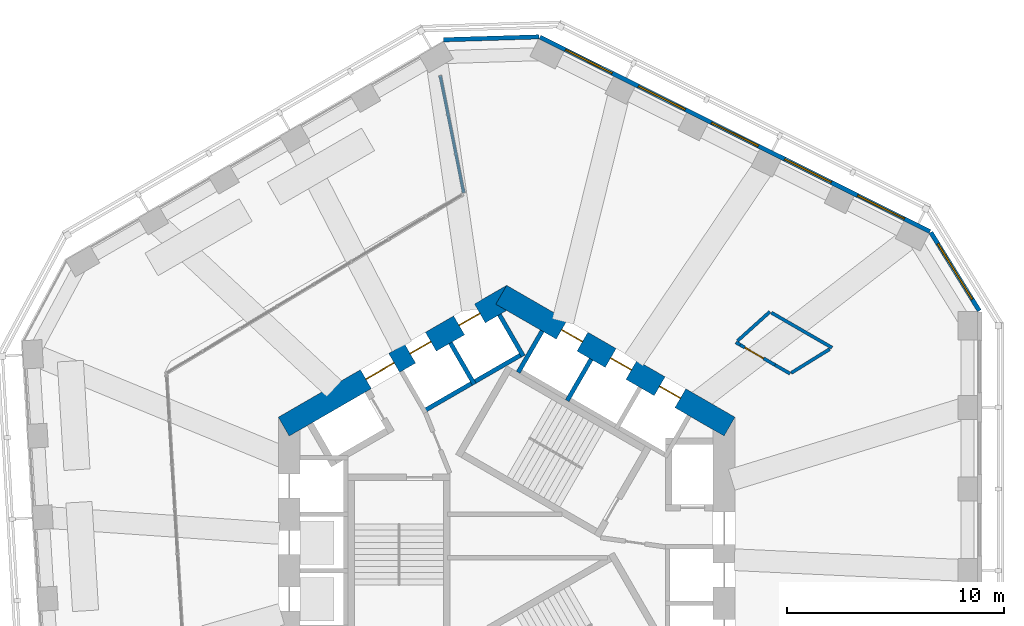
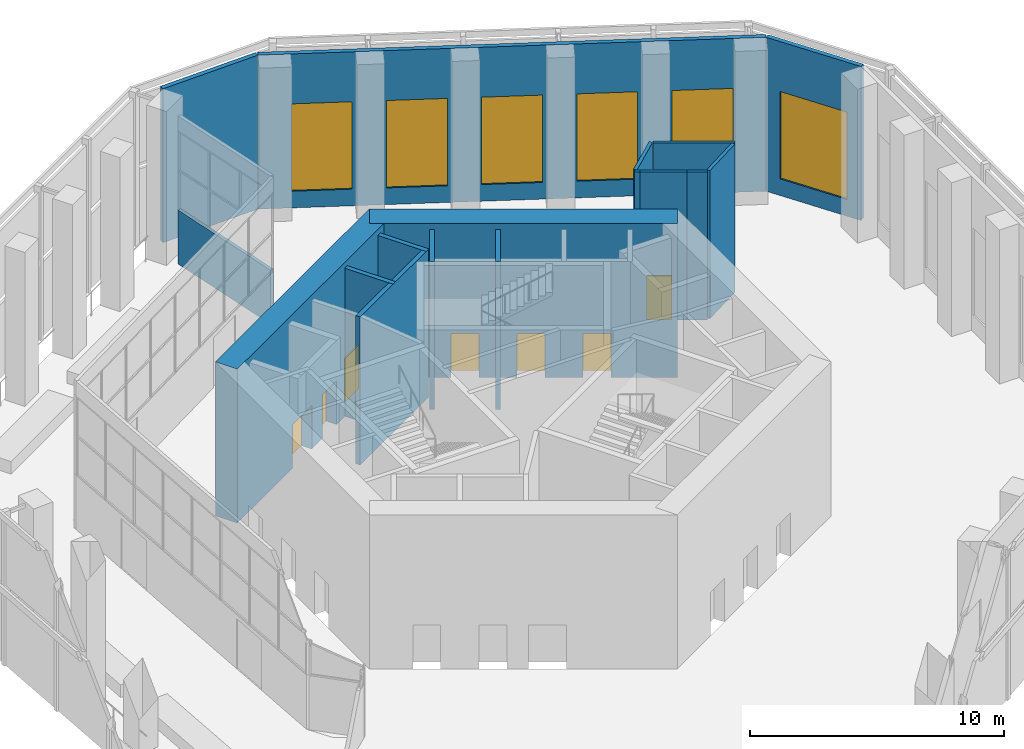
# One storey, part 12 of 19: 17 walls, 7 doors, 6 windows, 13 openings.
"""IFC4 building model written with IfcOpenShell, lengths in metres."""

from ifc_helpers import new_model, si_unit, direction, frame, frame_2d, origin, place, context, subcontext, project, spatial, rectangle, extrude, material, layer, layer_set, type_object, element, fill, save


model = new_model("IFC4")

# Units and contexts
model_context = context("Model", 3, precision=1e-05, world=origin(), true_north=direction((0.0, 1.0)))
body_context = subcontext(model_context, "Body", "Model", "MODEL_VIEW")
ifc_project = project(units=[si_unit("LENGTHUNIT", "METRE"), si_unit("AREAUNIT", "SQUARE_METRE"), si_unit("VOLUMEUNIT", "CUBIC_METRE"), si_unit("PLANEANGLEUNIT", "RADIAN"), si_unit("MASSUNIT", "GRAM", prefix="KILO")], contexts=[model_context])

# Site, building, storey
site_placement = place(None, origin())
site = spatial("IfcSite", under=ifc_project, at=site_placement, CompositionType="ELEMENT")
building_placement = place(site_placement, origin())
building = spatial("IfcBuilding", under=site, at=building_placement, Name="Vanh Sen Convention Tower", CompositionType="ELEMENT")
storey_placement = place(building_placement, frame((0.0, 0.0, 139.199951171875)))
storey = spatial("IfcBuildingStorey", under=building, at=storey_placement, Name="L34", CompositionType="ELEMENT", Elevation=139.199951171875)

# Wall, openings, doors
ifc_material_1 = material(Name="Concrete C80/95", Category="concrete")
ifc_layer_1 = layer(ifc_material_1, 1.0)
ifc_layer_set_1 = layer_set([ifc_layer_1], Name="Concrete C80/95")
wall_type_1 = type_object("IfcWallType", Name="Core outer wall 1000 C80/95", PredefinedType="SHEAR", material=ifc_layer_set_1)
wall_1_placement = place(storey_placement, frame((10.25, 5.629150390625, 0.0), z_axis=(0.0, 0.0, 1.0), x_axis=(-0.866022616891, 0.50000482701, 0.0)))
wall_1 = element("IfcWall", 1, at=wall_1_placement, inside=storey, type_object=wall_type_1, Name="Core wall face NE L34", PredefinedType="SHEAR", context=body_context, shape_type="SweptSolid", body=[
    extrude(rectangle(XDim=12.12451171875, YDim=1.0, at=frame_2d((6.062255859375, 0.0))), origin(), (0.0, 0.0, 1.0), 7.400146484375),
])
opening_1_placement = place(wall_1_placement, frame((2.6123046875, 0.0, 0.0)))
opening_1 = element("IfcOpeningElement", 2, at=opening_1_placement, cuts=wall_1, Name="Opening LD-LR3", PredefinedType="OPENING", context=body_context, shape_type="SweptSolid", body=[
    extrude(rectangle(XDim=1.10009765625, YDim=2.10009765625, at=frame_2d((0.550048828125, 1.050048828125))), frame((0.0, 0.510009765625, 0.0), z_axis=(0.0, -1.0, 0.0), x_axis=(1.0, 0.0, 0.0)), (0.0, 0.0, 1.0), 1.02001953125),
])
opening_2_placement = place(wall_1_placement, frame((5.212158203125, 0.0, 0.0)))
opening_2 = element("IfcOpeningElement", 3, at=opening_2_placement, cuts=wall_1, Name="Opening LD-LR4", PredefinedType="OPENING", context=body_context, shape_type="SweptSolid", body=[
    extrude(rectangle(XDim=1.10009765625, YDim=2.10009765625, at=frame_2d((0.550048828125, 1.050048828125))), frame((0.0, 0.510009765625, 0.0), z_axis=(0.0, -1.0, 0.0), x_axis=(1.0, 0.0, 0.0)), (0.0, 0.0, 1.0), 1.02001953125),
])
opening_3_placement = place(wall_1_placement, frame((7.812255859375, 0.0, 0.0)))
opening_3 = element("IfcOpeningElement", 4, at=opening_3_placement, cuts=wall_1, Name="Opening LD-LR5", PredefinedType="OPENING", context=body_context, shape_type="SweptSolid", body=[
    extrude(rectangle(XDim=1.10009765625, YDim=2.10009765625, at=frame_2d((0.550048828125, 1.050048828125))), frame((0.0, 0.510009765625, 0.0), z_axis=(0.0, -1.0, 0.0), x_axis=(1.0, 0.0, 0.0)), (0.0, 0.0, 1.0), 1.02001953125),
])
ifc_material_2 = material(Name="Stainless steel", Category="steel")
door_type_1 = type_object("IfcDoorType", Name="Lift landing door 1100", OperationType="DOUBLE_DOOR_SLIDING", PredefinedType="DOOR", material=ifc_material_2)
door_1_placement = place(opening_1_placement, origin())
door_1 = element("IfcDoor", 5, at=door_1_placement, inside=storey, type_object=door_type_1, Name="Lift LR3 landing door LD-LR3", OperationType="DOUBLE_DOOR_SLIDING", OverallHeight=2.10009765625, OverallWidth=1.10009765625, PredefinedType="DOOR", context=body_context, shape_type="SweptSolid", body=[
    extrude(rectangle(XDim=1.10009765625, YDim=2.10009765625, at=frame_2d((0.550048828125, 1.050048828125))), frame((0.0, 0.02490234375, 0.0), z_axis=(0.0, -1.0, 0.0), x_axis=(1.0, 0.0, 0.0)), (0.0, 0.0, 1.0), 0.050048828125),
])
fill(opening_1, door_1)
door_2_placement = place(opening_2_placement, origin())
door_2 = element("IfcDoor", 6, at=door_2_placement, inside=storey, type_object=door_type_1, Name="Lift LR4 landing door LD-LR4", OperationType="DOUBLE_DOOR_SLIDING", OverallHeight=2.10009765625, OverallWidth=1.10009765625, PredefinedType="DOOR", context=body_context, shape_type="SweptSolid", body=[
    extrude(rectangle(XDim=1.10009765625, YDim=2.10009765625, at=frame_2d((0.550048828125, 1.050048828125))), frame((0.0, 0.02490234375, 0.0), z_axis=(0.0, -1.0, 0.0), x_axis=(1.0, 0.0, 0.0)), (0.0, 0.0, 1.0), 0.050048828125),
])
fill(opening_2, door_2)
door_3_placement = place(opening_3_placement, origin())
door_3 = element("IfcDoor", 7, at=door_3_placement, inside=storey, type_object=door_type_1, Name="Lift LR5 landing door LD-LR5", OperationType="DOUBLE_DOOR_SLIDING", OverallHeight=2.10009765625, OverallWidth=1.10009765625, PredefinedType="DOOR", context=body_context, shape_type="SweptSolid", body=[
    extrude(rectangle(XDim=1.10009765625, YDim=2.10009765625, at=frame_2d((0.550048828125, 1.050048828125))), frame((0.0, 0.02490234375, 0.0), z_axis=(0.0, -1.0, 0.0), x_axis=(1.0, 0.0, 0.0)), (0.0, 0.0, 1.0), 0.050048828125),
])
fill(opening_3, door_3)

wall_2_placement = place(storey_placement, frame((0.25, 11.69140625, 0.0), z_axis=(0.0, 0.0, 1.0), x_axis=(-0.866022616891, -0.50000482701, 0.0)))
wall_2 = element("IfcWall", 8, at=wall_2_placement, inside=storey, type_object=wall_type_1, Name="Core wall face NW L34", PredefinedType="SHEAR", context=body_context, shape_type="SweptSolid", body=[
    extrude(rectangle(XDim=12.12451171875, YDim=1.0, at=frame_2d((6.062255859375, 0.0))), origin(), (0.0, 0.0, 1.0), 7.400146484375),
])
opening_4_placement = place(wall_2_placement, frame((6.26220703125, 0.0, 0.0)))
opening_4 = element("IfcOpeningElement", 9, at=opening_4_placement, cuts=wall_2, Name="Opening D34002", PredefinedType="OPENING", context=body_context, shape_type="SweptSolid", body=[
    extrude(rectangle(XDim=1.5, YDim=2.10009765625, at=frame_2d((0.75, 1.050048828125))), frame((0.0, 0.510009765625, 0.0), z_axis=(0.0, -1.0, 0.0), x_axis=(1.0, 0.0, 0.0)), (0.0, 0.0, 1.0), 1.02001953125),
])
opening_5_placement = place(wall_2_placement, frame((1.712158203125, 0.0, 0.0)))
opening_5 = element("IfcOpeningElement", 10, at=opening_5_placement, cuts=wall_2, Name="Opening LD-LR6", PredefinedType="OPENING", context=body_context, shape_type="SweptSolid", body=[
    extrude(rectangle(XDim=1.10009765625, YDim=2.10009765625, at=frame_2d((0.550048828125, 1.050048828125))), frame((0.0, 0.510009765625, 0.0), z_axis=(0.0, -1.0, 0.0), x_axis=(1.0, 0.0, 0.0)), (0.0, 0.0, 1.0), 1.02001953125),
])
opening_6_placement = place(wall_2_placement, frame((4.312255859375, 0.0, 0.0)))
opening_6 = element("IfcOpeningElement", 11, at=opening_6_placement, cuts=wall_2, Name="Opening LD-SH1", PredefinedType="OPENING", context=body_context, shape_type="SweptSolid", body=[
    extrude(rectangle(XDim=1.10009765625, YDim=2.10009765625, at=frame_2d((0.550048828125, 1.050048828125))), frame((0.0, 0.510009765625, 0.0), z_axis=(0.0, -1.0, 0.0), x_axis=(1.0, 0.0, 0.0)), (0.0, 0.0, 1.0), 1.02001953125),
])
door_4_placement = place(opening_5_placement, origin())
door_4 = element("IfcDoor", 12, at=door_4_placement, inside=storey, type_object=door_type_1, Name="Lift LR6 landing door LD-LR6", OperationType="DOUBLE_DOOR_SLIDING", OverallHeight=2.10009765625, OverallWidth=1.10009765625, PredefinedType="DOOR", context=body_context, shape_type="SweptSolid", body=[
    extrude(rectangle(XDim=1.10009765625, YDim=2.10009765625, at=frame_2d((0.550048828125, 1.050048828125))), frame((0.0, 0.02490234375, 0.0), z_axis=(0.0, -1.0, 0.0), x_axis=(1.0, 0.0, 0.0)), (0.0, 0.0, 1.0), 0.050048828125),
])
fill(opening_5, door_4)
door_5_placement = place(opening_6_placement, origin())
door_5 = element("IfcDoor", 13, at=door_5_placement, inside=storey, type_object=door_type_1, Name="Lift SH1 landing door LD-SH1", OperationType="DOUBLE_DOOR_SLIDING", OverallHeight=2.10009765625, OverallWidth=1.10009765625, PredefinedType="DOOR", context=body_context, shape_type="SweptSolid", body=[
    extrude(rectangle(XDim=1.10009765625, YDim=2.10009765625, at=frame_2d((0.550048828125, 1.050048828125))), frame((0.0, 0.02490234375, 0.0), z_axis=(0.0, -1.0, 0.0), x_axis=(1.0, 0.0, 0.0)), (0.0, 0.0, 1.0), 0.050048828125),
])
fill(opening_6, door_5)
ifc_material_3 = material(Name="Steel S355", Category="steel")
door_type_2 = type_object("IfcDoorType", Name="Stair lobby door 1500", OperationType="DOUBLE_DOOR_SINGLE_SWING", PredefinedType="DOOR", material=ifc_material_3)
door_6_placement = place(opening_4_placement, origin())
door_6 = element("IfcDoor", 14, at=door_6_placement, inside=storey, type_object=door_type_2, Name="Stair lobby door D34002", OperationType="DOUBLE_DOOR_SINGLE_SWING", OverallHeight=2.10009765625, OverallWidth=1.5, PredefinedType="DOOR", context=body_context, shape_type="SweptSolid", body=[
    extrude(rectangle(XDim=1.5, YDim=2.10009765625, at=frame_2d((0.75, 1.050048828125))), frame((0.0, 0.02490234375, 0.0), z_axis=(0.0, -1.0, 0.0), x_axis=(1.0, 0.0, 0.0)), (0.0, 0.0, 1.0), 0.050048828125),
])
fill(opening_4, door_6)

# Wall, opening, window
ifc_material_4 = material(Name="Insulated lightweight infill wall")
ifc_layer_2 = layer(ifc_material_4, 0.199951171875)
ifc_layer_set_2 = layer_set([ifc_layer_2], Name="Insulated lightweight infill wall")
wall_type_2 = type_object("IfcWallType", Name="External wall 200", PredefinedType="STANDARD", material=ifc_layer_set_2)
wall_3_placement = place(storey_placement, frame((21.735107421875, 10.9580078125, 0.0), z_axis=(0.0, 0.0, 1.0), x_axis=(-0.526213807775, 0.850352296702, 0.0)))
wall_3 = element("IfcWall", 15, at=wall_3_placement, inside=storey, type_object=wall_type_2, Name="External wall CH1 L34", PredefinedType="STANDARD", context=body_context, shape_type="SweptSolid", body=[
    extrude(rectangle(XDim=4.23828125, YDim=0.199951171875, at=frame_2d((2.119140625, 0.0))), origin(), (0.0, 0.0, 1.0), 7.400146484375),
])
opening_7_placement = place(wall_3_placement, frame((0.619140625, 0.0, 0.800048828125)))
opening_7 = element("IfcOpeningElement", 16, at=opening_7_placement, cuts=wall_3, Name="Opening WS1-CH11", PredefinedType="OPENING", context=body_context, shape_type="SweptSolid", body=[
    extrude(rectangle(XDim=3.0, YDim=4.199951171875, at=frame_2d((1.5, 2.10009765625))), frame((0.0, 0.10986328125, 0.0), z_axis=(0.0, -1.0, 0.0), x_axis=(1.0, 0.0, 0.0)), (0.0, 0.0, 1.0), 0.219970703125),
])
ifc_material_5 = material(Name="Aluminium frame with clear low-emissivity glass", Category="aluminium")
window_type_1 = type_object("IfcWindowType", Name="Sky garden window 3000 x 4200", PartitioningType="SINGLE_PANEL", PredefinedType="WINDOW", material=ifc_material_5)
window_1_placement = place(opening_7_placement, origin())
window_1 = element("IfcWindow", 17, at=window_1_placement, inside=storey, type_object=window_type_1, Name="Window WS1-CH11", OverallHeight=4.199951171875, OverallWidth=3.0, PartitioningType="SINGLE_PANEL", PredefinedType="WINDOW", context=body_context, shape_type="SweptSolid", body=[
    extrude(rectangle(XDim=3.0, YDim=4.199951171875, at=frame_2d((1.5, 2.10009765625))), frame((0.0, 0.030029296875, 0.0), z_axis=(0.0, -1.0, 0.0), x_axis=(1.0, 0.0, 0.0)), (0.0, 0.0, 1.0), 0.06005859375),
])
fill(opening_7, window_1)

# Wall, openings, windows
wall_4_placement = place(storey_placement, frame((19.46435546875, 14.598876953125, 0.0), z_axis=(0.0, 0.0, 1.0), x_axis=(-0.894935755043, 0.446195018289, 0.0)))
wall_4 = element("IfcWall", 18, at=wall_4_placement, inside=storey, type_object=wall_type_2, Name="External wall NE L34", PredefinedType="STANDARD", context=body_context, shape_type="SweptSolid", body=[
    extrude(rectangle(XDim=20.043701171875, YDim=0.199951171875, at=frame_2d((10.02197265625, 0.0))), origin(), (0.0, 0.0, 1.0), 7.400146484375),
])
opening_8_placement = place(wall_4_placement, frame((1.31298828125, 0.0, 0.800048828125)))
opening_8 = element("IfcOpeningElement", 19, at=opening_8_placement, cuts=wall_4, Name="Opening WS2-NE1", PredefinedType="OPENING", context=body_context, shape_type="SweptSolid", body=[
    extrude(rectangle(XDim=2.39990234375, YDim=4.199951171875, at=frame_2d((1.199951171875, 2.10009765625))), frame((0.0, 0.10986328125, 0.0), z_axis=(0.0, -1.0, 0.0), x_axis=(1.0, 0.0, 0.0)), (0.0, 0.0, 1.0), 0.219970703125),
])
opening_9_placement = place(wall_4_placement, frame((5.06689453125, 0.0, 0.800048828125)))
opening_9 = element("IfcOpeningElement", 20, at=opening_9_placement, cuts=wall_4, Name="Opening WS2-NE2", PredefinedType="OPENING", context=body_context, shape_type="SweptSolid", body=[
    extrude(rectangle(XDim=2.39990234375, YDim=4.199951171875, at=frame_2d((1.199951171875, 2.10009765625))), frame((0.0, 0.10986328125, 0.0), z_axis=(0.0, -1.0, 0.0), x_axis=(1.0, 0.0, 0.0)), (0.0, 0.0, 1.0), 0.219970703125),
])
opening_10_placement = place(wall_4_placement, frame((8.821044921875, 0.0, 0.800048828125)))
opening_10 = element("IfcOpeningElement", 21, at=opening_10_placement, cuts=wall_4, Name="Opening WS2-NE3", PredefinedType="OPENING", context=body_context, shape_type="SweptSolid", body=[
    extrude(rectangle(XDim=2.39990234375, YDim=4.199951171875, at=frame_2d((1.199951171875, 2.10009765625))), frame((0.0, 0.10986328125, 0.0), z_axis=(0.0, -1.0, 0.0), x_axis=(1.0, 0.0, 0.0)), (0.0, 0.0, 1.0), 0.219970703125),
])
opening_11_placement = place(wall_4_placement, frame((12.5751953125, 0.0, 0.800048828125)))
opening_11 = element("IfcOpeningElement", 22, at=opening_11_placement, cuts=wall_4, Name="Opening WS2-NE4", PredefinedType="OPENING", context=body_context, shape_type="SweptSolid", body=[
    extrude(rectangle(XDim=2.39990234375, YDim=4.199951171875, at=frame_2d((1.199951171875, 2.10009765625))), frame((0.0, 0.10986328125, 0.0), z_axis=(0.0, -1.0, 0.0), x_axis=(1.0, 0.0, 0.0)), (0.0, 0.0, 1.0), 0.219970703125),
])
opening_12_placement = place(wall_4_placement, frame((16.329345703125, 0.0, 0.800048828125)))
opening_12 = element("IfcOpeningElement", 23, at=opening_12_placement, cuts=wall_4, Name="Opening WS2-NE5", PredefinedType="OPENING", context=body_context, shape_type="SweptSolid", body=[
    extrude(rectangle(XDim=2.39990234375, YDim=4.199951171875, at=frame_2d((1.199951171875, 2.10009765625))), frame((0.0, 0.10986328125, 0.0), z_axis=(0.0, -1.0, 0.0), x_axis=(1.0, 0.0, 0.0)), (0.0, 0.0, 1.0), 0.219970703125),
])
window_type_2 = type_object("IfcWindowType", Name="Sky garden window 2400 x 4200", PartitioningType="SINGLE_PANEL", PredefinedType="WINDOW", material=ifc_material_5)
window_2_placement = place(opening_8_placement, origin())
window_2 = element("IfcWindow", 24, at=window_2_placement, inside=storey, type_object=window_type_2, Name="Window WS2-NE1", OverallHeight=4.199951171875, OverallWidth=2.39990234375, PartitioningType="SINGLE_PANEL", PredefinedType="WINDOW", context=body_context, shape_type="SweptSolid", body=[
    extrude(rectangle(XDim=2.39990234375, YDim=4.199951171875, at=frame_2d((1.199951171875, 2.10009765625))), frame((0.0, 0.030029296875, 0.0), z_axis=(0.0, -1.0, 0.0), x_axis=(1.0, 0.0, 0.0)), (0.0, 0.0, 1.0), 0.06005859375),
])
fill(opening_8, window_2)
window_3_placement = place(opening_9_placement, origin())
window_3 = element("IfcWindow", 25, at=window_3_placement, inside=storey, type_object=window_type_2, Name="Window WS2-NE2", OverallHeight=4.199951171875, OverallWidth=2.39990234375, PartitioningType="SINGLE_PANEL", PredefinedType="WINDOW", context=body_context, shape_type="SweptSolid", body=[
    extrude(rectangle(XDim=2.39990234375, YDim=4.199951171875, at=frame_2d((1.199951171875, 2.10009765625))), frame((0.0, 0.030029296875, 0.0), z_axis=(0.0, -1.0, 0.0), x_axis=(1.0, 0.0, 0.0)), (0.0, 0.0, 1.0), 0.06005859375),
])
fill(opening_9, window_3)
window_4_placement = place(opening_10_placement, origin())
window_4 = element("IfcWindow", 26, at=window_4_placement, inside=storey, type_object=window_type_2, Name="Window WS2-NE3", OverallHeight=4.199951171875, OverallWidth=2.39990234375, PartitioningType="SINGLE_PANEL", PredefinedType="WINDOW", context=body_context, shape_type="SweptSolid", body=[
    extrude(rectangle(XDim=2.39990234375, YDim=4.199951171875, at=frame_2d((1.199951171875, 2.10009765625))), frame((0.0, 0.030029296875, 0.0), z_axis=(0.0, -1.0, 0.0), x_axis=(1.0, 0.0, 0.0)), (0.0, 0.0, 1.0), 0.06005859375),
])
fill(opening_10, window_4)
window_5_placement = place(opening_11_placement, origin())
window_5 = element("IfcWindow", 27, at=window_5_placement, inside=storey, type_object=window_type_2, Name="Window WS2-NE4", OverallHeight=4.199951171875, OverallWidth=2.39990234375, PartitioningType="SINGLE_PANEL", PredefinedType="WINDOW", context=body_context, shape_type="SweptSolid", body=[
    extrude(rectangle(XDim=2.39990234375, YDim=4.199951171875, at=frame_2d((1.199951171875, 2.10009765625))), frame((0.0, 0.030029296875, 0.0), z_axis=(0.0, -1.0, 0.0), x_axis=(1.0, 0.0, 0.0)), (0.0, 0.0, 1.0), 0.06005859375),
])
fill(opening_11, window_5)
window_6_placement = place(opening_12_placement, origin())
window_6 = element("IfcWindow", 28, at=window_6_placement, inside=storey, type_object=window_type_2, Name="Window WS2-NE5", OverallHeight=4.199951171875, OverallWidth=2.39990234375, PartitioningType="SINGLE_PANEL", PredefinedType="WINDOW", context=body_context, shape_type="SweptSolid", body=[
    extrude(rectangle(XDim=2.39990234375, YDim=4.199951171875, at=frame_2d((1.199951171875, 2.10009765625))), frame((0.0, 0.030029296875, 0.0), z_axis=(0.0, -1.0, 0.0), x_axis=(1.0, 0.0, 0.0)), (0.0, 0.0, 1.0), 0.06005859375),
])
fill(opening_12, window_6)

# Walls
wall_5_placement = place(storey_placement, frame((1.478759765625, 23.552734375, 0.0), z_axis=(0.0, 0.0, 1.0), x_axis=(-0.999534929611, -0.030494663257, 0.0)))
element("IfcWall", 29, at=wall_5_placement, inside=storey, type_object=wall_type_2, Name="External wall CH2-1 L34", PredefinedType="STANDARD", context=body_context, shape_type="SweptSolid", body=[
    extrude(rectangle(XDim=4.38720703125, YDim=0.199951171875, at=frame_2d((2.193603515625, 0.0))), origin(), (0.0, 0.0, 1.0), 7.400146484375),
])
ifc_material_6 = material(Name="Concrete C40/50", Category="concrete")
ifc_layer_3 = layer(ifc_material_6, 0.199951171875)
ifc_layer_set_3 = layer_set([ifc_layer_3], Name="Concrete C40/50")
wall_type_3 = type_object("IfcWallType", Name="Lift shaft wall 200", PredefinedType="PARTITIONING", material=ifc_layer_set_3)
for number, where, z_axis, x_axis, name in (
    (30, (2.783935546875, 6.822021484375, 0.0), (0.0, 0.0, 1.0), (0.50002983664, 0.866008176907, 0.0), "Lift shaft wall L34"),
    (31, (0.5322265625, 8.1220703125, 0.0), (0.0, 0.0, 1.0), (0.500077893725, 0.86598042715, 0.0), "Lift shaft wall L34"),
):
    element("IfcWall", number, at=place(storey_placement, frame(where, z_axis=z_axis, x_axis=x_axis)), inside=storey, type_object=wall_type_3, Name=name, PredefinedType="PARTITIONING", context=body_context, shape_type="SweptSolid", body=[
        extrude(rectangle(XDim=2.199951171875, YDim=0.199951171875, at=frame_2d((1.10009765625, 0.0))), origin(), (0.0, 0.0, 1.0), 7.1201171875),
    ])
wall_6_placement = place(storey_placement, frame((0.80322265625, 9.008544921875, 0.0), z_axis=(0.0, 0.0, 1.0), x_axis=(-0.866028230842, -0.499995103361, 0.0)))
element("IfcWall", 32, at=wall_6_placement, inside=storey, type_object=wall_type_3, Name="Lift shaft wall L34", PredefinedType="PARTITIONING", context=body_context, shape_type="SweptSolid", body=[
    extrude(rectangle(XDim=5.39990234375, YDim=0.199951171875, at=frame_2d((2.699951171875, 0.0))), origin(), (0.0, 0.0, 1.0), 7.1201171875),
])
wall_7_placement = place(storey_placement, frame((0.7666015625, 8.8720703125, 0.0), z_axis=(0.0, 0.0, 1.0), x_axis=(-0.499994660107, 0.866028486751, 0.0)))
element("IfcWall", 33, at=wall_7_placement, inside=storey, type_object=wall_type_3, Name="Lift shaft wall L34", PredefinedType="PARTITIONING", context=body_context, shape_type="SweptSolid", body=[
    extrude(rectangle(XDim=2.19970703125, YDim=0.199951171875, at=frame_2d((1.099853515625, 0.0))), origin(), (0.0, 0.0, 1.0), 7.1201171875),
])
wall_8_placement = place(storey_placement, frame((-1.48486328125, 7.572021484375, 0.0), z_axis=(0.0, 0.0, 1.0), x_axis=(-0.50002983664, 0.866008176907, 0.0)))
element("IfcWall", 34, at=wall_8_placement, inside=storey, type_object=wall_type_3, Name="Lift shaft wall L34", PredefinedType="PARTITIONING", context=body_context, shape_type="SweptSolid", body=[
    extrude(rectangle(XDim=2.199951171875, YDim=0.199951171875, at=frame_2d((1.10009765625, 0.0))), origin(), (0.0, 0.0, 1.0), 7.1201171875),
])
ifc_material_7 = material(Name="Gypsum board on steel studs", Category="steel")
ifc_layer_4 = layer(ifc_material_7, 0.14990234375)
ifc_layer_set_4 = layer_set([ifc_layer_4], Name="Gypsum board on steel studs")
wall_type_4 = type_object("IfcWallType", Name="Partition 150", PredefinedType="PARTITIONING", material=ifc_layer_set_4)
wall_9_placement = place(storey_placement, frame((13.031982421875, 8.064453125, 0.0), z_axis=(0.0, 0.0, 1.0), x_axis=(-0.865926680471, 0.500170954823, 0.0)))
element("IfcWall", 35, at=wall_9_placement, inside=storey, type_object=wall_type_4, Name="Partition L34-001", PredefinedType="PARTITIONING", context=body_context, shape_type="SweptSolid", body=[
    extrude(rectangle(XDim=0.801025390625, YDim=0.14990234375, at=frame_2d((0.400390625, 0.0))), origin(), (0.0, 0.0, 1.0), 7.1201171875),
])

# Wall, opening, door
wall_10_placement = place(storey_placement, frame((12.33837890625, 8.465087890625, 0.0), z_axis=(0.0, 0.0, 1.0), x_axis=(-0.866111002094, 0.499851710062, 0.0)))
wall_10 = element("IfcWall", 36, at=wall_10_placement, inside=storey, type_object=wall_type_4, Name="Partition L34-002", PredefinedType="PARTITIONING", context=body_context, shape_type="SweptSolid", body=[
    extrude(rectangle(XDim=1.85302734375, YDim=0.14990234375, at=frame_2d((0.926513671875, 0.0))), origin(), (0.0, 0.0, 1.0), 7.1201171875),
])
opening_13_placement = place(wall_10_placement, frame((0.603271484375, 0.0, 0.0)))
opening_13 = element("IfcOpeningElement", 37, at=opening_13_placement, cuts=wall_10, Name="Opening D34101", PredefinedType="OPENING", context=body_context, shape_type="SweptSolid", body=[
    extrude(rectangle(XDim=1.0, YDim=2.10009765625, at=frame_2d((0.5, 1.050048828125))), frame((0.0, 0.0849609375, 0.0), z_axis=(0.0, -1.0, 0.0), x_axis=(1.0, 0.0, 0.0)), (0.0, 0.0, 1.0), 0.169921875),
])
ifc_material_8 = material(Name="Timber door in steel frame", Category="steel")
door_type_3 = type_object("IfcDoorType", Name="Room door 1000", OperationType="SINGLE_SWING_LEFT", PredefinedType="DOOR", material=ifc_material_8)
door_7_placement = place(opening_13_placement, origin())
door_7 = element("IfcDoor", 38, at=door_7_placement, inside=storey, type_object=door_type_3, Name="Room door D34101", OperationType="SINGLE_SWING_LEFT", OverallHeight=2.10009765625, OverallWidth=1.0, PredefinedType="DOOR", context=body_context, shape_type="SweptSolid", body=[
    extrude(rectangle(XDim=1.0, YDim=2.10009765625, at=frame_2d((0.5, 1.050048828125))), frame((0.0, 0.02490234375, 0.0), z_axis=(0.0, -1.0, 0.0), x_axis=(1.0, 0.0, 0.0)), (0.0, 0.0, 1.0), 0.050048828125),
])
fill(opening_13, door_7)

# Walls
wall_11_placement = place(storey_placement, frame((14.8603515625, 9.19580078125, 0.0), z_axis=(0.0, 0.0, 1.0), x_axis=(-0.850404527443, -0.526129394451, 0.0)))
element("IfcWall", 39, at=wall_11_placement, inside=storey, type_object=wall_type_4, Name="Partition L34-003", PredefinedType="PARTITIONING", context=body_context, shape_type="SweptSolid", body=[
    extrude(rectangle(XDim=2.090087890625, YDim=0.14990234375, at=frame_2d((1.044921875, 0.0))), origin(), (0.0, 0.0, 1.0), 7.1201171875),
])
wall_12_placement = place(storey_placement, frame((10.7333984375, 9.391357421875, 0.0), z_axis=(0.0, 0.0, 1.0), x_axis=(-0.866002566612, 0.500039553057, 0.0)))
element("IfcWall", 40, at=wall_12_placement, inside=storey, type_object=wall_type_4, Name="Partition L34-004", PredefinedType="PARTITIONING", context=body_context, shape_type="SweptSolid", body=[
    extrude(rectangle(XDim=0.22216796875, YDim=0.14990234375, at=frame_2d((0.111083984375, 0.0))), origin(), (0.0, 0.0, 1.0), 7.1201171875),
])
wall_13_placement = place(storey_placement, frame((10.615478515625, 9.569580078125, 0.0), z_axis=(0.0, 0.0, 1.0), x_axis=(0.742681485431, 0.669644839597, 0.0)))
element("IfcWall", 41, at=wall_13_placement, inside=storey, type_object=wall_type_4, Name="Partition L34-005", PredefinedType="PARTITIONING", context=body_context, shape_type="SweptSolid", body=[
    extrude(rectangle(XDim=2.002197265625, YDim=0.14990234375, at=frame_2d((1.0009765625, 0.0))), origin(), (0.0, 0.0, 1.0), 7.1201171875),
])
wall_14_placement = place(storey_placement, frame((12.171875, 10.87060546875, 0.0), z_axis=(0.0, 0.0, 1.0), x_axis=(0.86596351105, -0.500107186041, 0.0)))
element("IfcWall", 42, at=wall_14_placement, inside=storey, type_object=wall_type_4, Name="Partition L34-006", PredefinedType="PARTITIONING", context=body_context, shape_type="SweptSolid", body=[
    extrude(rectangle(XDim=3.222412109375, YDim=0.14990234375, at=frame_2d((1.611328125, 0.0))), origin(), (0.0, 0.0, 1.0), 7.1201171875),
])
ifc_material_9 = material(Name="Aluminium-framed structural glazing with clear glass", Category="aluminium")
ifc_layer_5 = layer(ifc_material_9, 0.14990234375)
ifc_layer_set_5 = layer_set([ifc_layer_5], Name="Aluminium-framed structural glazing with clear glass")
wall_type_5 = type_object("IfcWallType", Name="Winter garden glazed wall 150", PredefinedType="STANDARD", material=ifc_layer_set_5)
wall_15_placement = place(storey_placement, frame((-1.974365234375, 16.3779296875, 0.0), z_axis=(0.0, 0.0, 1.0), x_axis=(-0.196789745995, 0.980445712863, 0.0)))
element("IfcWall", 43, at=wall_15_placement, inside=storey, type_object=wall_type_5, Name="Winter garden wall 5 L34", PredefinedType="STANDARD", context=body_context, shape_type="SweptSolid", body=[
    extrude(rectangle(XDim=5.505859375, YDim=0.14990234375, at=frame_2d((2.7529296875, 0.0))), origin(), (0.0, 0.0, 1.0), 2.60009765625),
])

save(model, "model.ifc")
